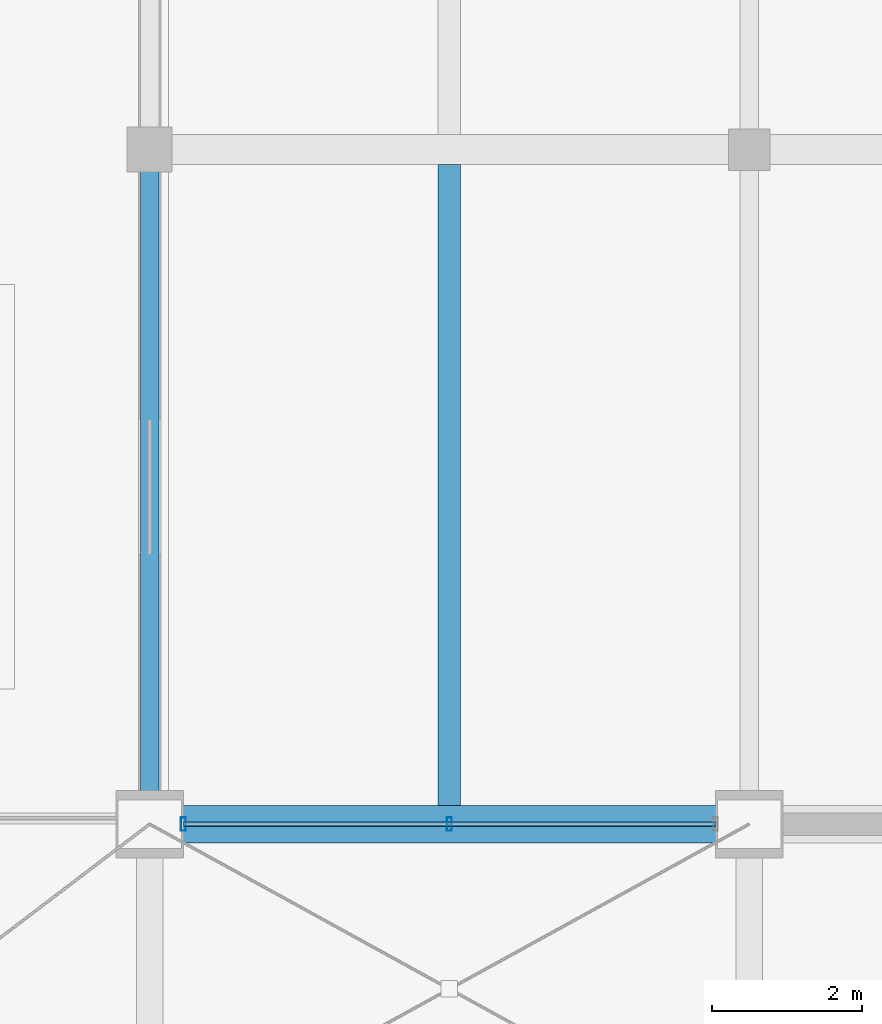
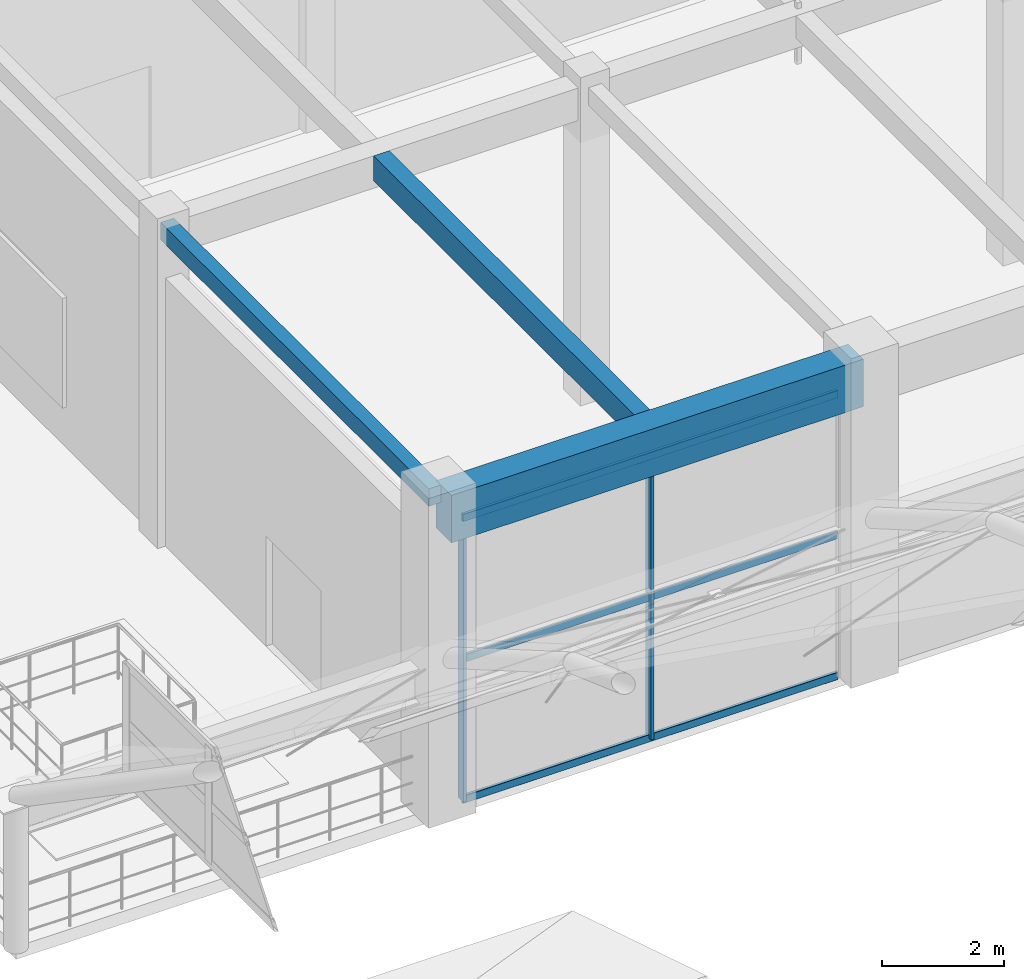
# One storey, part 54 of 163: 5 members, 3 beams, 1 element without a shape of its own.
"""IFC4 building model written with IfcOpenShell, lengths in metres."""

from ifc_helpers import new_model, si_unit, direction, frame, origin, origin_2d, place, context, subcontext, project, spatial, rectangle, hollow_rectangle, extrude, material, material_profile, profile_set, type_object, element, aggregate, save


model = new_model("IFC4")

# Units and contexts
model_context = context("Model", 3, precision=1e-05, world=origin(), true_north=direction((0.0, 1.0)))
body_context = subcontext(model_context, "Body", "Model", "MODEL_VIEW")
ifc_project = project(units=[si_unit("LENGTHUNIT", "METRE"), si_unit("AREAUNIT", "SQUARE_METRE"), si_unit("VOLUMEUNIT", "CUBIC_METRE"), si_unit("PLANEANGLEUNIT", "RADIAN"), si_unit("MASSUNIT", "GRAM", prefix="KILO")], contexts=[model_context])

# Site, building, storey
site_placement = place(None, origin())
site = spatial("IfcSite", under=ifc_project, at=site_placement, CompositionType="ELEMENT")
building_placement = place(site_placement, origin())
building = spatial("IfcBuilding", under=site, at=building_placement, Name="Varnabhumi Central Station", CompositionType="ELEMENT")
storey_placement = place(building_placement, frame((0.0, 0.0, 9.60009765625)))
storey = spatial("IfcBuildingStorey", under=building, at=storey_placement, Name="L02", CompositionType="ELEMENT", Elevation=9.60009765625)

# Beams
ifc_material_1 = material(Name="Concrete M35", Category="concrete")
ifc_material_profile_1 = material_profile(ifc_material_1, rectangle(XDim=0.25, YDim=0.35009765625, at=origin_2d()), Name="Concrete M35", Category="concrete")
ifc_profile_set_1 = profile_set([ifc_material_profile_1], Name="Concrete M35")
beam_type_1 = type_object("IfcBeamType", Name="BM-RC-250x350", PredefinedType="LINTEL", material=ifc_profile_set_1)
beam_1_placement = place(storey_placement, frame((24.0, 80.10009765625, 6.1748046875), z_axis=(0.0, 1.0, 0.0), x_axis=(-1.0, 0.0, 0.0)))
element("IfcBeam", 1, at=beam_1_placement, inside=storey, type_object=beam_type_1, Name="Beam L02-4:K-L", PredefinedType="LINTEL", context=body_context, shape_type="SweptSolid", body=[
    extrude(rectangle(XDim=0.25, YDim=0.35009765625, at=origin_2d()), origin(), (0.0, 0.0, 1.0), 8.7998046875),
])
ifc_material_2 = material(Name="Concrete M40", Category="concrete")
ifc_material_profile_2 = material_profile(ifc_material_2, rectangle(XDim=0.300048828125, YDim=0.5, at=origin_2d()), Name="Concrete M40", Category="concrete")
ifc_profile_set_2 = profile_set([ifc_material_profile_2], Name="Concrete M40")
beam_type_2 = type_object("IfcBeamType", Name="BM-RC-300x500", PredefinedType="JOIST", material=ifc_profile_set_2)
beam_2_placement = place(storey_placement, frame((28.0, 80.25, 6.099853515625), z_axis=(0.0, 1.0, 0.0), x_axis=(-1.0, 0.0, 0.0)))
element("IfcBeam", 2, at=beam_2_placement, inside=storey, type_object=beam_type_2, Name="Secondary Joist L02-4/5:K-L", PredefinedType="JOIST", context=body_context, shape_type="SweptSolid", body=[
    extrude(rectangle(XDim=0.300048828125, YDim=0.5, at=origin_2d()), origin(), (0.0, 0.0, 1.0), 8.550048828125),
])
ifc_material_profile_3 = material_profile(ifc_material_2, rectangle(XDim=0.5, YDim=0.949951171875, at=origin_2d()), Name="Concrete M40", Category="concrete")
ifc_profile_set_3 = profile_set([ifc_material_profile_3], Name="Concrete M40")
beam_type_3 = type_object("IfcBeamType", Name="BM-RC-950x500", PredefinedType="BEAM", material=ifc_profile_set_3)
beam_3_placement = place(storey_placement, frame((24.10009765625, 80.0, 5.875), z_axis=(1.0, 0.0, 0.0), x_axis=(0.0, 1.0, 0.0)))
element("IfcBeam", 3, at=beam_3_placement, inside=storey, type_object=beam_type_3, Name="Beam L02-K:4-5", PredefinedType="BEAM", context=body_context, shape_type="SweptSolid", body=[
    extrude(rectangle(XDim=0.5, YDim=0.949951171875, at=origin_2d()), origin(), (0.0, 0.0, 1.0), 7.7998046875),
])

# Curtain wall, members
ifc_material_3 = material(Name="Anodised aluminium 6063-T6", Category="aluminium")
curtain_wall_type = type_object("IfcCurtainWallType", Name="CW-SPINE-SCREEN-L2", PredefinedType="NOTDEFINED", material=ifc_material_3)
curtain_wall_placement = place(storey_placement, origin())
curtain_wall = element("IfcCurtainWall", 4, at=curtain_wall_placement, inside=storey, type_object=curtain_wall_type, Name="Curtain Wall CW-NS200", PredefinedType="NOTDEFINED")
ifc_material_profile_4 = material_profile(ifc_material_3, hollow_rectangle(XDim=0.06494140625, YDim=0.179931640625, WallThickness=0.00390625, InnerFilletRadius=0.001953125, OuterFilletRadius=0.006103515625, at=origin_2d()), Name="Anodised aluminium 6063-T6", Category="aluminium")
ifc_profile_set_4 = profile_set([ifc_material_profile_4], Name="Anodised aluminium 6063-T6")
member_type_1 = type_object("IfcMemberType", Name="CW-MUL-180", PredefinedType="MULLION", material=ifc_profile_set_4)
member_1_placement = place(storey_placement, frame((24.449951171875, 80.0, 0.0), z_axis=(0.0, 0.0, 1.0), x_axis=(1.0, 0.0, 0.0)))
member_1 = element("IfcMember", 5, at=member_1_placement, type_object=member_type_1, Name="Curtain Wall Mullion CW-NS200-M1", PredefinedType="MULLION", context=body_context, shape_type="SweptSolid", body=[
    extrude(hollow_rectangle(XDim=0.06494140625, YDim=0.179931640625, WallThickness=0.00390625, InnerFilletRadius=0.001953125, OuterFilletRadius=0.006103515625, at=origin_2d()), origin(), (0.0, 0.0, 1.0), 5.639892578125),
])
member_2_placement = place(storey_placement, frame((28.0, 80.0, 0.0), z_axis=(0.0, 0.0, 1.0), x_axis=(1.0, 0.0, 0.0)))
member_2 = element("IfcMember", 6, at=member_2_placement, type_object=member_type_1, Name="Curtain Wall Mullion CW-NS200-M2", PredefinedType="MULLION", context=body_context, shape_type="SweptSolid", body=[
    extrude(hollow_rectangle(XDim=0.06494140625, YDim=0.179931640625, WallThickness=0.00390625, InnerFilletRadius=0.001953125, OuterFilletRadius=0.006103515625, at=origin_2d()), origin(), (0.0, 0.0, 1.0), 5.639892578125),
])
ifc_material_profile_5 = material_profile(ifc_material_3, hollow_rectangle(XDim=0.06005859375, YDim=0.14990234375, WallThickness=0.00390625, InnerFilletRadius=0.001953125, OuterFilletRadius=0.006103515625, at=origin_2d()), Name="Anodised aluminium 6063-T6", Category="aluminium")
ifc_profile_set_5 = profile_set([ifc_material_profile_5], Name="Anodised aluminium 6063-T6")
member_type_2 = type_object("IfcMemberType", Name="CW-TR-150", PredefinedType="USERDEFINED", material=ifc_profile_set_5)
member_3_placement = place(storey_placement, frame((24.449951171875, 80.0, 0.0), z_axis=(1.0, 0.0, 0.0), x_axis=(0.0, 1.0, 0.0)))
member_3 = element("IfcMember", 7, at=member_3_placement, type_object=member_type_2, Name="Curtain Wall Transom CW-NS200-T1", ObjectType="TRANSOM", PredefinedType="USERDEFINED", context=body_context, shape_type="SweptSolid", body=[
    extrude(hollow_rectangle(XDim=0.06005859375, YDim=0.14990234375, WallThickness=0.00390625, InnerFilletRadius=0.001953125, OuterFilletRadius=0.006103515625, at=origin_2d()), origin(), (0.0, 0.0, 1.0), 7.10009765625),
])
member_4_placement = place(storey_placement, frame((24.449951171875, 80.0, 2.81982421875), z_axis=(1.0, 0.0, 0.0), x_axis=(0.0, 1.0, 0.0)))
member_4 = element("IfcMember", 8, at=member_4_placement, type_object=member_type_2, Name="Curtain Wall Transom CW-NS200-T2", ObjectType="TRANSOM", PredefinedType="USERDEFINED", context=body_context, shape_type="SweptSolid", body=[
    extrude(hollow_rectangle(XDim=0.06005859375, YDim=0.14990234375, WallThickness=0.00390625, InnerFilletRadius=0.001953125, OuterFilletRadius=0.006103515625, at=origin_2d()), origin(), (0.0, 0.0, 1.0), 7.10009765625),
])
member_5_placement = place(storey_placement, frame((24.449951171875, 80.0, 5.639892578125), z_axis=(1.0, 0.0, 0.0), x_axis=(0.0, 1.0, 0.0)))
member_5 = element("IfcMember", 9, at=member_5_placement, type_object=member_type_2, Name="Curtain Wall Transom CW-NS200-T3", ObjectType="TRANSOM", PredefinedType="USERDEFINED", context=body_context, shape_type="SweptSolid", body=[
    extrude(hollow_rectangle(XDim=0.06005859375, YDim=0.14990234375, WallThickness=0.00390625, InnerFilletRadius=0.001953125, OuterFilletRadius=0.006103515625, at=origin_2d()), origin(), (0.0, 0.0, 1.0), 7.10009765625),
])
aggregate(curtain_wall, [member_1, member_2, member_3, member_4, member_5])

save(model, "model.ifc")
